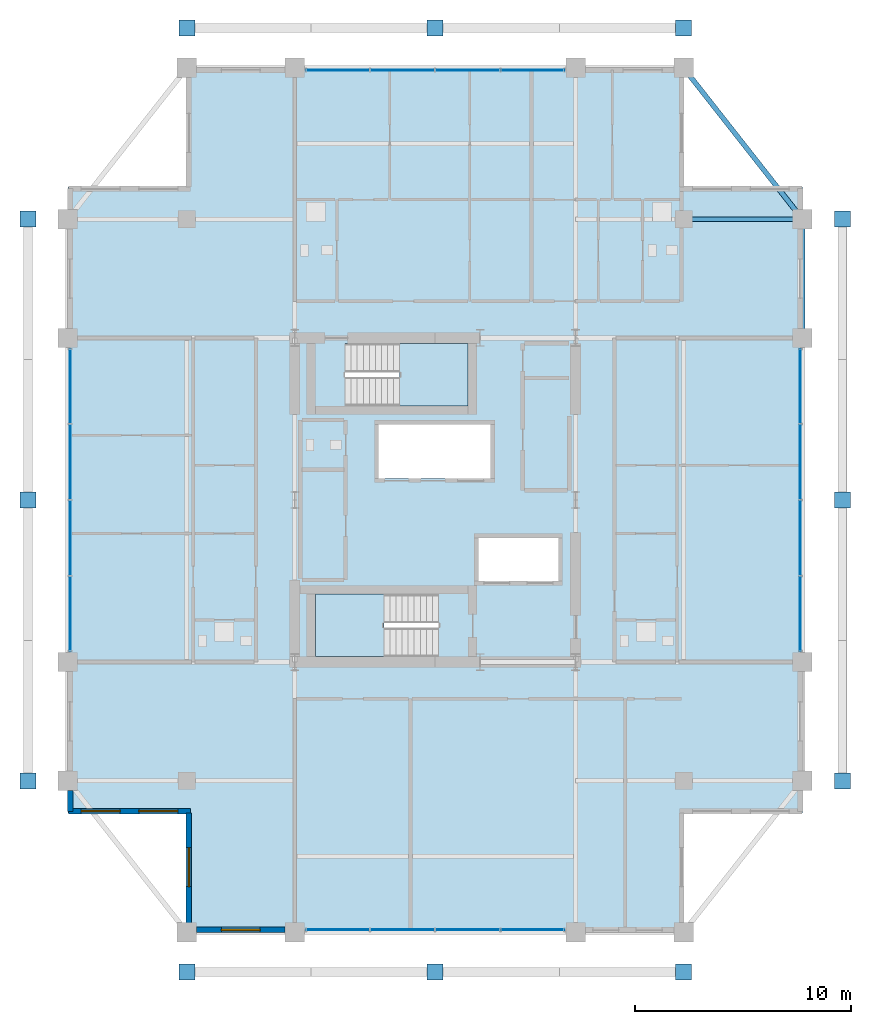
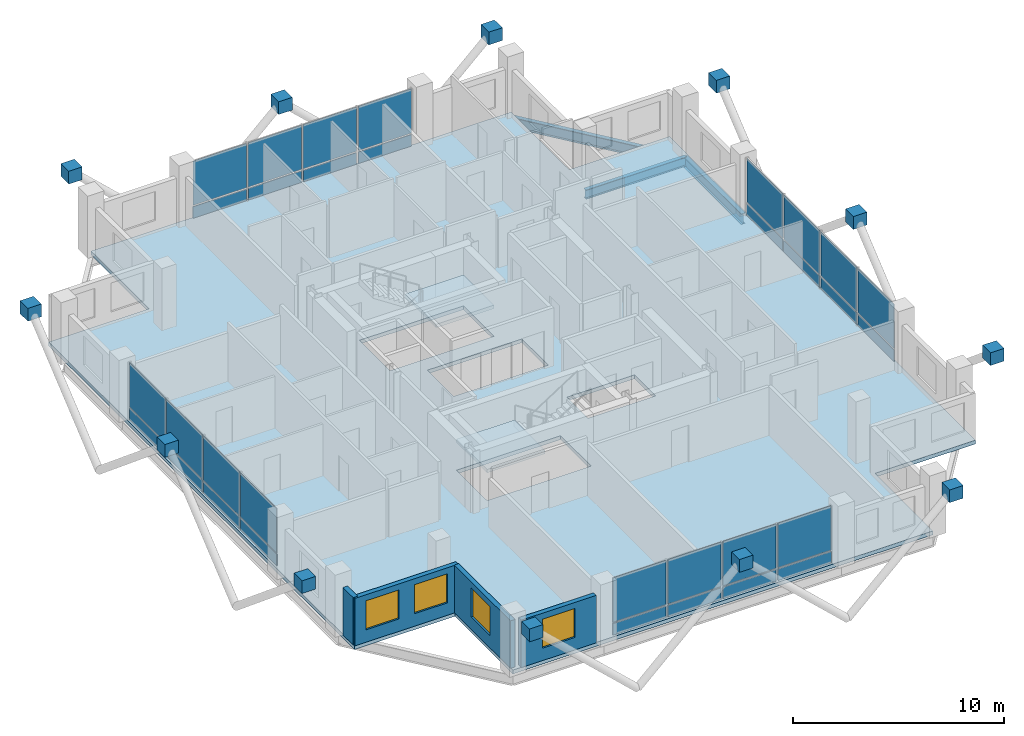
# One storey, part 17 of 23: 44 plates, 4 walls, 4 windows, 3 beams, 3 slabs, 4 openings, 6 elements without a shape of their own.
"""IFC4 building model written with IfcOpenShell, lengths in metres."""

import ifcopenshell
import ifcopenshell.guid

model = None  # the IFC model being written
_history = None  # IfcOwnerHistory: only IFC2X3 demands one
_inside = {}  # id of a spatial element -> (the spatial element, [elements in it])
_under = {}  # id of a project, library or spatial element -> (it, [spatial elements below it])
_declared = {}  # id of a project -> (the project, [libraries it declares])
_typed = {}  # id of a type object -> (the type object, [elements of that type])
_made_of = {}  # id of a material, layer set ... -> (it, [elements and type objects made of it])


def new_model(schema):
    """Start an empty IFC model of exactly this schema.

    Asked for "IFC4X3", IfcOpenShell would pick the latest addendum, in which some entities
    have other attributes; the version numbers below select the first issue.
    IFC2X3 requires an IfcOwnerHistory on every rooted entity: one is made here for all.
    """
    global model, _history
    if schema == "IFC4X3":
        model = ifcopenshell.file(schema_version=(4, 3, 0, 0))
    else:
        model = ifcopenshell.file(schema=schema)
    _inside.clear()
    _under.clear()
    _declared.clear()
    _typed.clear()
    _made_of.clear()
    _history = None
    if model.schema == "IFC2X3":
        org = make("IfcOrganization", Name="unknown")
        user = make(
            "IfcPersonAndOrganization",
            ThePerson=make("IfcPerson", FamilyName="unknown"),
            TheOrganization=org,
        )
        app = make(
            "IfcApplication",
            ApplicationDeveloper=org,
            Version="unknown",
            ApplicationFullName="unknown",
            ApplicationIdentifier="unknown",
        )
        _history = make(
            "IfcOwnerHistory",
            OwningUser=user,
            OwningApplication=app,
            ChangeAction="ADDED",
            CreationDate=0,
        )
    return model


def make(cls, **values):
    """One entity of the class cls with the attributes given. An attribute that is None is left unset."""
    return model.create_entity(
        cls, **{name: value for name, value in values.items() if value is not None}
    )


def rooted(cls, **values):
    """An entity with a GlobalId (a new one), such as an element, a storey or a relation."""
    return make(cls, GlobalId=ifcopenshell.guid.new(), OwnerHistory=_history, **values)


def si_unit(unit_type, name, prefix=None):
    """IfcSIUnit, for example si_unit("LENGTHUNIT", "METRE", prefix="MILLI")."""
    return make("IfcSIUnit", UnitType=unit_type, Prefix=prefix, Name=name)


def assignment(units):
    """IfcUnitAssignment: the units of a project."""
    return None if units is None else make("IfcUnitAssignment", Units=units)


def point(xyz):
    """IfcCartesianPoint."""
    return None if xyz is None else make("IfcCartesianPoint", Coordinates=xyz)


def direction(xyz):
    """IfcDirection."""
    return None if xyz is None else make("IfcDirection", DirectionRatios=xyz)


def frame(location, z_axis=None, x_axis=None):
    """IfcAxis2Placement3D, a coordinate frame: its origin and axes. An axis left out is left unset."""
    return make(
        "IfcAxis2Placement3D",
        Location=point(location),
        Axis=direction(z_axis),
        RefDirection=direction(x_axis),
    )


def frame_2d(location, x_axis=None):
    """IfcAxis2Placement2D, a coordinate frame in the plane: its origin and x axis."""
    return make(
        "IfcAxis2Placement2D", Location=point(location), RefDirection=direction(x_axis)
    )


def origin():
    """The frame at (0, 0, 0) with its axes left unset."""
    return frame((0.0, 0.0, 0.0))


def origin_2d():
    """The frame at (0, 0) in the plane with its x axis left unset."""
    return frame_2d((0.0, 0.0))


def place(relative_to, where):
    """IfcLocalPlacement: puts the frame where relative to a parent placement (None: the world)."""
    return make(
        "IfcLocalPlacement", PlacementRelTo=relative_to, RelativePlacement=where
    )


def context(
    kind, dimensions, precision=None, world=None, true_north=None, identifier=None
):
    """IfcGeometricRepresentationContext, for example the 3D "Model" context."""
    return make(
        "IfcGeometricRepresentationContext",
        ContextIdentifier=identifier,
        ContextType=kind,
        CoordinateSpaceDimension=dimensions,
        Precision=precision,
        WorldCoordinateSystem=world,
        TrueNorth=true_north,
    )


def subcontext(parent, identifier, kind, view, scale=None):
    """IfcGeometricRepresentationSubContext, for example "Body" below "Model"."""
    return make(
        "IfcGeometricRepresentationSubContext",
        ContextIdentifier=identifier,
        ContextType=kind,
        ParentContext=parent,
        TargetScale=scale,
        TargetView=view,
    )


def project(units=None, contexts=None):
    """IfcProject with its units and contexts."""
    return rooted(
        "IfcProject",
        Name="project",
        RepresentationContexts=contexts,
        UnitsInContext=assignment(units),
    )


def spatial(cls, under=None, at=None, **own):
    """A site, building, storey or space (cls), placed at a placement, below another one or the project."""
    s = rooted(cls, ObjectPlacement=at, **own)
    if under is not None:
        _under.setdefault(under.id(), (under, []))[1].append(s)
    return s


def polyline(points):
    """IfcPolyline through the points."""
    return make("IfcPolyline", Points=[point(p) for p in points])


def profile(cls, at=None, kind="AREA", **sizes):
    """A parametric profile (cls). Its sizes go by their IFC names, for example OverallWidth=200.0."""
    return make(cls, ProfileType=kind, Position=at, **sizes)


def rectangle(**sizes):
    """IfcRectangleProfileDef."""
    return profile("IfcRectangleProfileDef", **sizes)


def i_section(**sizes):
    """IfcIShapeProfileDef."""
    return profile("IfcIShapeProfileDef", **sizes)


def outline(outer, holes=None, kind="AREA"):
    """IfcArbitraryClosedProfileDef: a profile drawn as a closed curve; with holes, ...WithVoids."""
    if holes is None:
        return make("IfcArbitraryClosedProfileDef", ProfileType=kind, OuterCurve=outer)
    return make(
        "IfcArbitraryProfileDefWithVoids",
        ProfileType=kind,
        OuterCurve=outer,
        InnerCurves=holes,
    )


def extrude(swept, where, along, depth):
    """IfcExtrudedAreaSolid: the profile swept, set in the frame where, extruded along a direction by depth."""
    return make(
        "IfcExtrudedAreaSolid",
        SweptArea=swept,
        Position=where,
        ExtrudedDirection=direction(along),
        Depth=depth,
    )


def shape(context_of_items, identifier, shape_type, items):
    """IfcShapeRepresentation: the items that make up one representation, for example the "Body"."""
    return make(
        "IfcShapeRepresentation",
        ContextOfItems=context_of_items,
        RepresentationIdentifier=identifier,
        RepresentationType=shape_type,
        Items=items,
    )


def material(Name=None, Category=None):
    """IfcMaterial."""
    return make("IfcMaterial", Name=Name, Category=Category)


def layer(
    of_material, thickness, ventilated=None, Name=None, Category=None, Priority=None
):
    """IfcMaterialLayer: one layer of a wall or slab, of a material (None: an air gap)."""
    return make(
        "IfcMaterialLayer",
        Material=of_material,
        LayerThickness=thickness,
        IsVentilated=ventilated,
        Name=Name,
        Category=Category,
        Priority=Priority,
    )


def layer_set(layers, Name=None):
    """IfcMaterialLayerSet."""
    return make("IfcMaterialLayerSet", MaterialLayers=layers, LayerSetName=Name)


def material_profile(
    of_material, cross_section, Name=None, Category=None, Priority=None
):
    """IfcMaterialProfile: a cross section and its material."""
    return make(
        "IfcMaterialProfile",
        Name=Name,
        Material=of_material,
        Profile=cross_section,
        Priority=Priority,
        Category=Category,
    )


def profile_set(profiles, Name=None, composite=None):
    """IfcMaterialProfileSet."""
    return make(
        "IfcMaterialProfileSet",
        Name=Name,
        MaterialProfiles=profiles,
        CompositeProfile=composite,
    )


def made_of(thing, what):
    """Note that an element or type object is made of a material, layer set ...; save() writes the relation."""
    if what is not None:
        _made_of.setdefault(what.id(), (what, []))[1].append(thing)
    return thing


def type_object(cls, material=None, **own):
    """A type object (cls), such as IfcWallType, which elements share."""
    return made_of(rooted(cls, **own), material)


def element(
    cls,
    number,
    at=None,
    inside=None,
    cuts=None,
    type_object=None,
    material=None,
    context=None,
    identifier="Body",
    shape_type=None,
    held_by="IfcProductDefinitionShape",
    body=None,
    shapes=None,
    **own,
):
    """One element of the class cls, such as IfcWall. Its Tag is "e" and its number.

    at: its placement. inside: the storey or other place that contains it. cuts: it is an
    opening in that element (IfcRelVoidsElement). A single representation is given by context,
    identifier, shape_type and body (its items); several are given by shapes. held_by: the class
    of the entity that holds the representations. save() writes the other relations.
    """
    e = rooted(cls, Tag="e%d" % number, ObjectPlacement=at, **own)
    if body is not None:
        shapes = [shape(context, identifier, shape_type, body)]
    if shapes is not None:
        e.Representation = make(held_by, Representations=shapes)
    if inside is not None:
        _inside.setdefault(inside.id(), (inside, []))[1].append(e)
    if cuts is not None:
        rooted(
            "IfcRelVoidsElement", RelatingBuildingElement=cuts, RelatedOpeningElement=e
        )
    if type_object is not None:
        _typed.setdefault(type_object.id(), (type_object, []))[1].append(e)
    return made_of(e, material)


def fill(opening, filler):
    """IfcRelFillsElement: the door or window that sits in an opening."""
    return rooted(
        "IfcRelFillsElement",
        RelatingOpeningElement=opening,
        RelatedBuildingElement=filler,
    )


def aggregate(whole, parts):
    """IfcRelAggregates: a whole, such as a stair, and the parts it consists of."""
    return rooted("IfcRelAggregates", RelatingObject=whole, RelatedObjects=parts)


def save(model, path):
    """Write the relations noted so far, then the file.

    IfcRelAggregates (storeys below a building ...), IfcRelContainedInSpatialStructure (elements
    in a storey), IfcRelDefinesByType, IfcRelAssociatesMaterial and IfcRelDeclares: one each for
    every whole, place, type object, material and project.
    """
    for whole, parts in _under.values():
        aggregate(whole, parts)
    for where, things in _inside.values():
        rooted(
            "IfcRelContainedInSpatialStructure",
            RelatedElements=things,
            RelatingStructure=where,
        )
    for kind, things in _typed.values():
        rooted("IfcRelDefinesByType", RelatedObjects=things, RelatingType=kind)
    for what, things in _made_of.values():
        rooted("IfcRelAssociatesMaterial", RelatedObjects=things, RelatingMaterial=what)
    for by, libraries in _declared.values():
        rooted("IfcRelDeclares", RelatingContext=by, RelatedDefinitions=libraries)
    model.write(path)


model = new_model("IFC4")

# Units and contexts
model_context = context("Model", 3, precision=1e-05, world=origin(), true_north=direction((0.0, 1.0)))
body_context = subcontext(model_context, "Body", "Model", "MODEL_VIEW")
ifc_project = project(units=[si_unit("LENGTHUNIT", "METRE"), si_unit("AREAUNIT", "SQUARE_METRE"), si_unit("VOLUMEUNIT", "CUBIC_METRE"), si_unit("PLANEANGLEUNIT", "RADIAN"), si_unit("MASSUNIT", "GRAM", prefix="KILO")], contexts=[model_context])

# Site, building, storey
site_placement = place(None, origin())
site = spatial("IfcSite", under=ifc_project, at=site_placement, CompositionType="ELEMENT")
building_placement = place(site_placement, origin())
building = spatial("IfcBuilding", under=site, at=building_placement, Name="Barlavira Tower and Art Museum", CompositionType="ELEMENT")
storey_placement = place(building_placement, frame((0.0, 0.0, 247.5)))
storey = spatial("IfcBuildingStorey", under=building, at=storey_placement, Name="L64", CompositionType="ELEMENT", Elevation=247.5)

# Beams
ifc_material_1 = material(Name="Steel S355", Category="steel")
ifc_material_profile_1 = material_profile(ifc_material_1, i_section(OverallWidth=0.22998046875, OverallDepth=0.616943359375, WebThickness=0.01318359375, FlangeThickness=0.022216796875, at=origin_2d()), Name="W610x140.0")
ifc_profile_set_1 = profile_set([ifc_material_profile_1], Name="Steel S355")
beam_type_1 = type_object("IfcBeamType", Name="Upper Shaft Spandrel Edge Beam W610x140 Steel S355", PredefinedType="SPANDREL", material=ifc_profile_set_1)
beam_1_placement = place(storey_placement, frame((17.0, 7.5, -0.528564453125), z_axis=(0.0, 1.0, 0.0), x_axis=(-1.0, 0.0, 0.0)))
element("IfcBeam", 1, at=beam_1_placement, inside=storey, type_object=beam_type_1, Name="L64 Spandrel 7", PredefinedType="SPANDREL", context=body_context, shape_type="SweptSolid", body=[
    extrude(i_section(OverallWidth=0.22998046875, OverallDepth=0.616943359375, WebThickness=0.01318359375, FlangeThickness=0.022216796875, at=origin_2d()), origin(), (0.0, 0.0, 1.0), 5.5),
])
beam_2_placement = place(storey_placement, frame((17.0, 13.0, -0.528564453125), z_axis=(-0.617821551932, 0.786318338822, 0.0), x_axis=(-0.786318338822, -0.617821551932, 0.0)))
element("IfcBeam", 2, at=beam_2_placement, inside=storey, type_object=beam_type_1, Name="L64 Spandrel 8", PredefinedType="SPANDREL", context=body_context, shape_type="SweptSolid", body=[
    extrude(i_section(OverallWidth=0.22998046875, OverallDepth=0.616943359375, WebThickness=0.01318359375, FlangeThickness=0.022216796875, at=origin_2d()), origin(), (0.0, 0.0, 1.0), 8.90234375),
])
ifc_material_profile_2 = material_profile(ifc_material_1, i_section(OverallWidth=0.2109375, OverallDepth=0.5390625, WebThickness=0.01171875, FlangeThickness=0.018798828125, at=origin_2d()), Name="W530x109.0")
ifc_profile_set_2 = profile_set([ifc_material_profile_2], Name="Steel S355")
beam_type_2 = type_object("IfcBeamType", Name="Zone 3-4 Primary Floor Girder W530x109 Steel S355", PredefinedType="BEAM", material=ifc_profile_set_2)
beam_3_placement = place(storey_placement, frame((11.5, 13.0, -0.489501953125), z_axis=(1.0, 0.0, 0.0), x_axis=(0.0, 1.0, 0.0)))
element("IfcBeam", 3, at=beam_3_placement, inside=storey, type_object=beam_type_2, Name="L64 Girder I-N4", PredefinedType="BEAM", context=body_context, shape_type="SweptSolid", body=[
    extrude(i_section(OverallWidth=0.2109375, OverallDepth=0.5390625, WebThickness=0.01171875, FlangeThickness=0.018798828125, at=origin_2d()), origin(), (0.0, 0.0, 1.0), 5.5),
])

# Curtain wall, plates
ifc_material_2 = material(Name="Low-iron coastal laminated glass", Category="glass")
ifc_layer_1 = layer(ifc_material_2, 0.2099609375, Name="Low-iron coastal laminated glass")
ifc_layer_set_1 = layer_set([ifc_layer_1], Name="Low-iron coastal laminated glass")
curtain_wall_type = type_object("IfcCurtainWallType", Name="Pale-Metal Unitised Curtain Wall Zone 4", PredefinedType="NOTDEFINED", material=ifc_layer_set_1)
curtain_wall_1_placement = place(storey_placement, origin())
curtain_wall_1 = element("IfcCurtainWall", 4, at=curtain_wall_1_placement, inside=storey, type_object=curtain_wall_type, Name="L64 Curtain Wall CW4-L64-S-B2", PredefinedType="NOTDEFINED")
ifc_material_3 = material(Name="Pale anodised aluminium", Category="aluminium")
ifc_layer_2 = layer(ifc_material_3, 0.044921875, Name="Pale anodised aluminium")
ifc_layer_set_2 = layer_set([ifc_layer_2], Name="Pale anodised aluminium")
plate_type_1 = type_object("IfcPlateType", Name="Curtain Wall Pale-Metal Spandrel Panel 45", PredefinedType="CURTAIN_PANEL", material=ifc_layer_set_2)
plate_1_placement = place(storey_placement, frame((-4.5224609375, -19.89990234375, 0.0400390625), z_axis=(0.0, 0.0, 1.0), x_axis=(1.0, 0.0, 0.0)))
plate_1 = element("IfcPlate", 5, at=plate_1_placement, type_object=plate_type_1, Name="CW4-L64-S-B2 Spandrel Panel 0", PredefinedType="CURTAIN_PANEL", context=body_context, shape_type="SweptSolid", body=[
    extrude(rectangle(XDim=2.9150390625, YDim=0.044921875, at=origin_2d()), origin(), (0.0, 0.0, 1.0), 0.6640625),
])
plate_2_placement = place(storey_placement, frame((-1.507568359375, -19.89990234375, 0.0400390625), z_axis=(0.0, 0.0, 1.0), x_axis=(1.0, 0.0, 0.0)))
plate_2 = element("IfcPlate", 6, at=plate_2_placement, type_object=plate_type_1, Name="CW4-L64-S-B2 Spandrel Panel 1", PredefinedType="CURTAIN_PANEL", context=body_context, shape_type="SweptSolid", body=[
    extrude(rectangle(XDim=2.9150390625, YDim=0.044921875, at=origin_2d()), origin(), (0.0, 0.0, 1.0), 0.6640625),
])
plate_3_placement = place(storey_placement, frame((1.507568359375, -19.89990234375, 0.0400390625), z_axis=(0.0, 0.0, 1.0), x_axis=(1.0, 0.0, 0.0)))
plate_3 = element("IfcPlate", 7, at=plate_3_placement, type_object=plate_type_1, Name="CW4-L64-S-B2 Spandrel Panel 2", PredefinedType="CURTAIN_PANEL", context=body_context, shape_type="SweptSolid", body=[
    extrude(rectangle(XDim=2.9150390625, YDim=0.044921875, at=origin_2d()), origin(), (0.0, 0.0, 1.0), 0.6640625),
])
plate_4_placement = place(storey_placement, frame((4.5224609375, -19.89990234375, 0.0400390625), z_axis=(0.0, 0.0, 1.0), x_axis=(1.0, 0.0, 0.0)))
plate_4 = element("IfcPlate", 8, at=plate_4_placement, type_object=plate_type_1, Name="CW4-L64-S-B2 Spandrel Panel 3", PredefinedType="CURTAIN_PANEL", context=body_context, shape_type="SweptSolid", body=[
    extrude(rectangle(XDim=2.9150390625, YDim=0.044921875, at=origin_2d()), origin(), (0.0, 0.0, 1.0), 0.6640625),
])

curtain_wall_2_placement = place(storey_placement, origin())
curtain_wall_2 = element("IfcCurtainWall", 9, at=curtain_wall_2_placement, inside=storey, type_object=curtain_wall_type, Name="L64 Curtain Wall CW4-L64-N-B2", PredefinedType="NOTDEFINED")
plate_5_placement = place(storey_placement, frame((4.5224609375, 19.89990234375, 0.0400390625), z_axis=(0.0, 0.0, 1.0), x_axis=(-1.0, 0.0, 0.0)))
plate_5 = element("IfcPlate", 10, at=plate_5_placement, type_object=plate_type_1, Name="CW4-L64-N-B2 Spandrel Panel 0", PredefinedType="CURTAIN_PANEL", context=body_context, shape_type="SweptSolid", body=[
    extrude(rectangle(XDim=2.9150390625, YDim=0.044921875, at=origin_2d()), origin(), (0.0, 0.0, 1.0), 0.6640625),
])
plate_6_placement = place(storey_placement, frame((1.507568359375, 19.89990234375, 0.0400390625), z_axis=(0.0, 0.0, 1.0), x_axis=(-1.0, 0.0, 0.0)))
plate_6 = element("IfcPlate", 11, at=plate_6_placement, type_object=plate_type_1, Name="CW4-L64-N-B2 Spandrel Panel 1", PredefinedType="CURTAIN_PANEL", context=body_context, shape_type="SweptSolid", body=[
    extrude(rectangle(XDim=2.9150390625, YDim=0.044921875, at=origin_2d()), origin(), (0.0, 0.0, 1.0), 0.6640625),
])
plate_7_placement = place(storey_placement, frame((-1.507568359375, 19.89990234375, 0.0400390625), z_axis=(0.0, 0.0, 1.0), x_axis=(-1.0, 0.0, 0.0)))
plate_7 = element("IfcPlate", 12, at=plate_7_placement, type_object=plate_type_1, Name="CW4-L64-N-B2 Spandrel Panel 2", PredefinedType="CURTAIN_PANEL", context=body_context, shape_type="SweptSolid", body=[
    extrude(rectangle(XDim=2.9150390625, YDim=0.044921875, at=origin_2d()), origin(), (0.0, 0.0, 1.0), 0.6640625),
])
plate_8_placement = place(storey_placement, frame((-4.5224609375, 19.89990234375, 0.0400390625), z_axis=(0.0, 0.0, 1.0), x_axis=(-1.0, 0.0, 0.0)))
plate_8 = element("IfcPlate", 13, at=plate_8_placement, type_object=plate_type_1, Name="CW4-L64-N-B2 Spandrel Panel 3", PredefinedType="CURTAIN_PANEL", context=body_context, shape_type="SweptSolid", body=[
    extrude(rectangle(XDim=2.9150390625, YDim=0.044921875, at=origin_2d()), origin(), (0.0, 0.0, 1.0), 0.6640625),
])

curtain_wall_3_placement = place(storey_placement, origin())
curtain_wall_3 = element("IfcCurtainWall", 14, at=curtain_wall_3_placement, inside=storey, type_object=curtain_wall_type, Name="L64 Curtain Wall CW4-L64-W-B3", PredefinedType="NOTDEFINED")
plate_9_placement = place(storey_placement, frame((-16.89990234375, 5.2724609375, 0.0400390625), z_axis=(0.0, 0.0, 1.0), x_axis=(0.0, -1.0, 0.0)))
plate_9 = element("IfcPlate", 15, at=plate_9_placement, type_object=plate_type_1, Name="CW4-L64-W-B3 Spandrel Panel 0", PredefinedType="CURTAIN_PANEL", context=body_context, shape_type="SweptSolid", body=[
    extrude(rectangle(XDim=3.4150390625, YDim=0.044921875, at=origin_2d()), origin(), (0.0, 0.0, 1.0), 0.6640625),
])
plate_10_placement = place(storey_placement, frame((-16.89990234375, 1.757568359375, 0.0400390625), z_axis=(0.0, 0.0, 1.0), x_axis=(0.0, -1.0, 0.0)))
plate_10 = element("IfcPlate", 16, at=plate_10_placement, type_object=plate_type_1, Name="CW4-L64-W-B3 Spandrel Panel 1", PredefinedType="CURTAIN_PANEL", context=body_context, shape_type="SweptSolid", body=[
    extrude(rectangle(XDim=3.4150390625, YDim=0.044921875, at=origin_2d()), origin(), (0.0, 0.0, 1.0), 0.6640625),
])
plate_11_placement = place(storey_placement, frame((-16.89990234375, -1.757568359375, 0.0400390625), z_axis=(0.0, 0.0, 1.0), x_axis=(0.0, -1.0, 0.0)))
plate_11 = element("IfcPlate", 17, at=plate_11_placement, type_object=plate_type_1, Name="CW4-L64-W-B3 Spandrel Panel 2", PredefinedType="CURTAIN_PANEL", context=body_context, shape_type="SweptSolid", body=[
    extrude(rectangle(XDim=3.4150390625, YDim=0.044921875, at=origin_2d()), origin(), (0.0, 0.0, 1.0), 0.6640625),
])
plate_12_placement = place(storey_placement, frame((-16.89990234375, -5.2724609375, 0.0400390625), z_axis=(0.0, 0.0, 1.0), x_axis=(0.0, -1.0, 0.0)))
plate_12 = element("IfcPlate", 18, at=plate_12_placement, type_object=plate_type_1, Name="CW4-L64-W-B3 Spandrel Panel 3", PredefinedType="CURTAIN_PANEL", context=body_context, shape_type="SweptSolid", body=[
    extrude(rectangle(XDim=3.4150390625, YDim=0.044921875, at=origin_2d()), origin(), (0.0, 0.0, 1.0), 0.6640625),
])

curtain_wall_4_placement = place(storey_placement, origin())
curtain_wall_4 = element("IfcCurtainWall", 19, at=curtain_wall_4_placement, inside=storey, type_object=curtain_wall_type, Name="L64 Curtain Wall CW4-L64-E-B3", PredefinedType="NOTDEFINED")
plate_13_placement = place(storey_placement, frame((16.89990234375, -5.2724609375, 0.0400390625), z_axis=(0.0, 0.0, 1.0), x_axis=(0.0, 1.0, 0.0)))
plate_13 = element("IfcPlate", 20, at=plate_13_placement, type_object=plate_type_1, Name="CW4-L64-E-B3 Spandrel Panel 0", PredefinedType="CURTAIN_PANEL", context=body_context, shape_type="SweptSolid", body=[
    extrude(rectangle(XDim=3.4150390625, YDim=0.044921875, at=origin_2d()), origin(), (0.0, 0.0, 1.0), 0.6640625),
])
plate_14_placement = place(storey_placement, frame((16.89990234375, -1.757568359375, 0.0400390625), z_axis=(0.0, 0.0, 1.0), x_axis=(0.0, 1.0, 0.0)))
plate_14 = element("IfcPlate", 21, at=plate_14_placement, type_object=plate_type_1, Name="CW4-L64-E-B3 Spandrel Panel 1", PredefinedType="CURTAIN_PANEL", context=body_context, shape_type="SweptSolid", body=[
    extrude(rectangle(XDim=3.4150390625, YDim=0.044921875, at=origin_2d()), origin(), (0.0, 0.0, 1.0), 0.6640625),
])
plate_15_placement = place(storey_placement, frame((16.89990234375, 1.757568359375, 0.0400390625), z_axis=(0.0, 0.0, 1.0), x_axis=(0.0, 1.0, 0.0)))
plate_15 = element("IfcPlate", 22, at=plate_15_placement, type_object=plate_type_1, Name="CW4-L64-E-B3 Spandrel Panel 2", PredefinedType="CURTAIN_PANEL", context=body_context, shape_type="SweptSolid", body=[
    extrude(rectangle(XDim=3.4150390625, YDim=0.044921875, at=origin_2d()), origin(), (0.0, 0.0, 1.0), 0.6640625),
])
plate_16_placement = place(storey_placement, frame((16.89990234375, 5.2724609375, 0.0400390625), z_axis=(0.0, 0.0, 1.0), x_axis=(0.0, 1.0, 0.0)))
plate_16 = element("IfcPlate", 23, at=plate_16_placement, type_object=plate_type_1, Name="CW4-L64-E-B3 Spandrel Panel 3", PredefinedType="CURTAIN_PANEL", context=body_context, shape_type="SweptSolid", body=[
    extrude(rectangle(XDim=3.4150390625, YDim=0.044921875, at=origin_2d()), origin(), (0.0, 0.0, 1.0), 0.6640625),
])

# Plate
ifc_layer_3 = layer(ifc_material_2, 0.028076171875, Name="Low-iron coastal laminated glass")
ifc_layer_set_3 = layer_set([ifc_layer_3], Name="Low-iron coastal laminated glass")
plate_type_2 = type_object("IfcPlateType", Name="Curtain Wall Vision Glazing Panel 28", PredefinedType="CURTAIN_PANEL", material=ifc_layer_set_3)
plate_17_placement = place(storey_placement, frame((-4.5224609375, -19.89990234375, 0.7841796875), z_axis=(0.0, 0.0, 1.0), x_axis=(1.0, 0.0, 0.0)))
plate_17 = element("IfcPlate", 24, at=plate_17_placement, type_object=plate_type_2, Name="CW4-L64-S-B2 Vision Glass Panel 0", PredefinedType="CURTAIN_PANEL", context=body_context, shape_type="SweptSolid", body=[
    extrude(rectangle(XDim=2.9150390625, YDim=0.028076171875, at=origin_2d()), origin(), (0.0, 0.0, 1.0), 2.555908203125),
])

plate_18_placement = place(storey_placement, frame((-1.507568359375, -19.89990234375, 0.7841796875), z_axis=(0.0, 0.0, 1.0), x_axis=(1.0, 0.0, 0.0)))
plate_18 = element("IfcPlate", 25, at=plate_18_placement, type_object=plate_type_2, Name="CW4-L64-S-B2 Vision Glass Panel 1", PredefinedType="CURTAIN_PANEL", context=body_context, shape_type="SweptSolid", body=[
    extrude(rectangle(XDim=2.9150390625, YDim=0.028076171875, at=origin_2d()), origin(), (0.0, 0.0, 1.0), 2.555908203125),
])

plate_19_placement = place(storey_placement, frame((1.507568359375, -19.89990234375, 0.7841796875), z_axis=(0.0, 0.0, 1.0), x_axis=(1.0, 0.0, 0.0)))
plate_19 = element("IfcPlate", 26, at=plate_19_placement, type_object=plate_type_2, Name="CW4-L64-S-B2 Vision Glass Panel 2", PredefinedType="CURTAIN_PANEL", context=body_context, shape_type="SweptSolid", body=[
    extrude(rectangle(XDim=2.9150390625, YDim=0.028076171875, at=origin_2d()), origin(), (0.0, 0.0, 1.0), 2.555908203125),
])

plate_20_placement = place(storey_placement, frame((4.5224609375, -19.89990234375, 0.7841796875), z_axis=(0.0, 0.0, 1.0), x_axis=(1.0, 0.0, 0.0)))
plate_20 = element("IfcPlate", 27, at=plate_20_placement, type_object=plate_type_2, Name="CW4-L64-S-B2 Vision Glass Panel 3", PredefinedType="CURTAIN_PANEL", context=body_context, shape_type="SweptSolid", body=[
    extrude(rectangle(XDim=2.9150390625, YDim=0.028076171875, at=origin_2d()), origin(), (0.0, 0.0, 1.0), 2.555908203125),
])

aggregate(curtain_wall_1, [plate_1, plate_17, plate_2, plate_18, plate_3, plate_19, plate_4, plate_20])

plate_21_placement = place(storey_placement, frame((4.5224609375, 19.89990234375, 0.7841796875), z_axis=(0.0, 0.0, 1.0), x_axis=(-1.0, 0.0, 0.0)))
plate_21 = element("IfcPlate", 28, at=plate_21_placement, type_object=plate_type_2, Name="CW4-L64-N-B2 Vision Glass Panel 0", PredefinedType="CURTAIN_PANEL", context=body_context, shape_type="SweptSolid", body=[
    extrude(rectangle(XDim=2.9150390625, YDim=0.028076171875, at=origin_2d()), origin(), (0.0, 0.0, 1.0), 2.555908203125),
])

plate_22_placement = place(storey_placement, frame((1.507568359375, 19.89990234375, 0.7841796875), z_axis=(0.0, 0.0, 1.0), x_axis=(-1.0, 0.0, 0.0)))
plate_22 = element("IfcPlate", 29, at=plate_22_placement, type_object=plate_type_2, Name="CW4-L64-N-B2 Vision Glass Panel 1", PredefinedType="CURTAIN_PANEL", context=body_context, shape_type="SweptSolid", body=[
    extrude(rectangle(XDim=2.9150390625, YDim=0.028076171875, at=origin_2d()), origin(), (0.0, 0.0, 1.0), 2.555908203125),
])

plate_23_placement = place(storey_placement, frame((-1.507568359375, 19.89990234375, 0.7841796875), z_axis=(0.0, 0.0, 1.0), x_axis=(-1.0, 0.0, 0.0)))
plate_23 = element("IfcPlate", 30, at=plate_23_placement, type_object=plate_type_2, Name="CW4-L64-N-B2 Vision Glass Panel 2", PredefinedType="CURTAIN_PANEL", context=body_context, shape_type="SweptSolid", body=[
    extrude(rectangle(XDim=2.9150390625, YDim=0.028076171875, at=origin_2d()), origin(), (0.0, 0.0, 1.0), 2.555908203125),
])

plate_24_placement = place(storey_placement, frame((-4.5224609375, 19.89990234375, 0.7841796875), z_axis=(0.0, 0.0, 1.0), x_axis=(-1.0, 0.0, 0.0)))
plate_24 = element("IfcPlate", 31, at=plate_24_placement, type_object=plate_type_2, Name="CW4-L64-N-B2 Vision Glass Panel 3", PredefinedType="CURTAIN_PANEL", context=body_context, shape_type="SweptSolid", body=[
    extrude(rectangle(XDim=2.9150390625, YDim=0.028076171875, at=origin_2d()), origin(), (0.0, 0.0, 1.0), 2.555908203125),
])

aggregate(curtain_wall_2, [plate_5, plate_21, plate_6, plate_22, plate_7, plate_23, plate_8, plate_24])

plate_25_placement = place(storey_placement, frame((-16.89990234375, 5.2724609375, 0.7841796875), z_axis=(0.0, 0.0, 1.0), x_axis=(0.0, -1.0, 0.0)))
plate_25 = element("IfcPlate", 32, at=plate_25_placement, type_object=plate_type_2, Name="CW4-L64-W-B3 Vision Glass Panel 0", PredefinedType="CURTAIN_PANEL", context=body_context, shape_type="SweptSolid", body=[
    extrude(rectangle(XDim=3.4150390625, YDim=0.028076171875, at=origin_2d()), origin(), (0.0, 0.0, 1.0), 2.555908203125),
])

plate_26_placement = place(storey_placement, frame((-16.89990234375, 1.757568359375, 0.7841796875), z_axis=(0.0, 0.0, 1.0), x_axis=(0.0, -1.0, 0.0)))
plate_26 = element("IfcPlate", 33, at=plate_26_placement, type_object=plate_type_2, Name="CW4-L64-W-B3 Vision Glass Panel 1", PredefinedType="CURTAIN_PANEL", context=body_context, shape_type="SweptSolid", body=[
    extrude(rectangle(XDim=3.4150390625, YDim=0.028076171875, at=origin_2d()), origin(), (0.0, 0.0, 1.0), 2.555908203125),
])

plate_27_placement = place(storey_placement, frame((-16.89990234375, -1.757568359375, 0.7841796875), z_axis=(0.0, 0.0, 1.0), x_axis=(0.0, -1.0, 0.0)))
plate_27 = element("IfcPlate", 34, at=plate_27_placement, type_object=plate_type_2, Name="CW4-L64-W-B3 Vision Glass Panel 2", PredefinedType="CURTAIN_PANEL", context=body_context, shape_type="SweptSolid", body=[
    extrude(rectangle(XDim=3.4150390625, YDim=0.028076171875, at=origin_2d()), origin(), (0.0, 0.0, 1.0), 2.555908203125),
])

plate_28_placement = place(storey_placement, frame((-16.89990234375, -5.2724609375, 0.7841796875), z_axis=(0.0, 0.0, 1.0), x_axis=(0.0, -1.0, 0.0)))
plate_28 = element("IfcPlate", 35, at=plate_28_placement, type_object=plate_type_2, Name="CW4-L64-W-B3 Vision Glass Panel 3", PredefinedType="CURTAIN_PANEL", context=body_context, shape_type="SweptSolid", body=[
    extrude(rectangle(XDim=3.4150390625, YDim=0.028076171875, at=origin_2d()), origin(), (0.0, 0.0, 1.0), 2.555908203125),
])

aggregate(curtain_wall_3, [plate_9, plate_25, plate_10, plate_26, plate_11, plate_27, plate_12, plate_28])

plate_29_placement = place(storey_placement, frame((16.89990234375, -5.2724609375, 0.7841796875), z_axis=(0.0, 0.0, 1.0), x_axis=(0.0, 1.0, 0.0)))
plate_29 = element("IfcPlate", 36, at=plate_29_placement, type_object=plate_type_2, Name="CW4-L64-E-B3 Vision Glass Panel 0", PredefinedType="CURTAIN_PANEL", context=body_context, shape_type="SweptSolid", body=[
    extrude(rectangle(XDim=3.4150390625, YDim=0.028076171875, at=origin_2d()), origin(), (0.0, 0.0, 1.0), 2.555908203125),
])

plate_30_placement = place(storey_placement, frame((16.89990234375, -1.757568359375, 0.7841796875), z_axis=(0.0, 0.0, 1.0), x_axis=(0.0, 1.0, 0.0)))
plate_30 = element("IfcPlate", 37, at=plate_30_placement, type_object=plate_type_2, Name="CW4-L64-E-B3 Vision Glass Panel 1", PredefinedType="CURTAIN_PANEL", context=body_context, shape_type="SweptSolid", body=[
    extrude(rectangle(XDim=3.4150390625, YDim=0.028076171875, at=origin_2d()), origin(), (0.0, 0.0, 1.0), 2.555908203125),
])

plate_31_placement = place(storey_placement, frame((16.89990234375, 1.757568359375, 0.7841796875), z_axis=(0.0, 0.0, 1.0), x_axis=(0.0, 1.0, 0.0)))
plate_31 = element("IfcPlate", 38, at=plate_31_placement, type_object=plate_type_2, Name="CW4-L64-E-B3 Vision Glass Panel 2", PredefinedType="CURTAIN_PANEL", context=body_context, shape_type="SweptSolid", body=[
    extrude(rectangle(XDim=3.4150390625, YDim=0.028076171875, at=origin_2d()), origin(), (0.0, 0.0, 1.0), 2.555908203125),
])

plate_32_placement = place(storey_placement, frame((16.89990234375, 5.2724609375, 0.7841796875), z_axis=(0.0, 0.0, 1.0), x_axis=(0.0, 1.0, 0.0)))
plate_32 = element("IfcPlate", 39, at=plate_32_placement, type_object=plate_type_2, Name="CW4-L64-E-B3 Vision Glass Panel 3", PredefinedType="CURTAIN_PANEL", context=body_context, shape_type="SweptSolid", body=[
    extrude(rectangle(XDim=3.4150390625, YDim=0.028076171875, at=origin_2d()), origin(), (0.0, 0.0, 1.0), 2.555908203125),
])

aggregate(curtain_wall_4, [plate_13, plate_29, plate_14, plate_30, plate_15, plate_31, plate_16, plate_32])

# Plates
ifc_layer_4 = layer(ifc_material_1, 0.739990234375, Name="Steel S355")
ifc_layer_set_4 = layer_set([ifc_layer_4], Name="Steel S355")
plate_type_3 = type_object("IfcPlateType", Name="Exoskeleton Solid Steel Node Cap Plate Assembly Type 4 Steel S355", PredefinedType="USERDEFINED", material=ifc_layer_set_4)
for number, where, z_axis, x_axis, name in (
    (40, (-11.5, -21.85009765625, 3.10986328125), (0.0, 0.0, 1.0), (1.0, 0.0, 0.0), "Exoskeleton Node S ND-L64-0701"),
    (41, (0.0, -21.85009765625, 3.10986328125), (0.0, 0.0, 1.0), (1.0, 0.0, 0.0), "Exoskeleton Node S ND-L64-0702"),
    (42, (11.5, -21.85009765625, 3.10986328125), (0.0, 0.0, 1.0), (1.0, 0.0, 0.0), "Exoskeleton Node S ND-L64-0703"),
    (43, (-11.5, 21.85009765625, 3.10986328125), (0.0, 0.0, 1.0), (1.0, 0.0, 0.0), "Exoskeleton Node N ND-L64-0709"),
    (44, (0.0, 21.85009765625, 3.10986328125), (0.0, 0.0, 1.0), (1.0, 0.0, 0.0), "Exoskeleton Node N ND-L64-0710"),
    (45, (11.5, 21.85009765625, 3.10986328125), (0.0, 0.0, 1.0), (1.0, 0.0, 0.0), "Exoskeleton Node N ND-L64-0711"),
    (46, (-18.85009765625, -13.0, 3.10986328125), (0.0, 0.0, 1.0), (1.0, 0.0, 0.0), "Exoskeleton Node W ND-L64-0717"),
    (47, (-18.85009765625, 0.0, 3.10986328125), (0.0, 0.0, 1.0), (1.0, 0.0, 0.0), "Exoskeleton Node W ND-L64-0718"),
    (48, (-18.85009765625, 13.0, 3.10986328125), (0.0, 0.0, 1.0), (1.0, 0.0, 0.0), "Exoskeleton Node W ND-L64-0719"),
    (49, (18.85009765625, -13.0, 3.10986328125), (0.0, 0.0, 1.0), (1.0, 0.0, 0.0), "Exoskeleton Node E ND-L64-0725"),
    (50, (18.85009765625, 0.0, 3.10986328125), (0.0, 0.0, 1.0), (1.0, 0.0, 0.0), "Exoskeleton Node E ND-L64-0726"),
    (51, (18.85009765625, 13.0, 3.10986328125), (0.0, 0.0, 1.0), (1.0, 0.0, 0.0), "Exoskeleton Node E ND-L64-0727"),
):
    element("IfcPlate", number, at=place(storey_placement, frame(where, z_axis=z_axis, x_axis=x_axis)), inside=storey, type_object=plate_type_3, Name=name, ObjectType="FLANGE_PLATE", PredefinedType="USERDEFINED", context=body_context, shape_type="SweptSolid", body=[
        extrude(rectangle(XDim=0.739990234375, YDim=0.739990234375, at=origin_2d()), origin(), (0.0, 0.0, 1.0), 0.739990234375),
    ])

# Stair, slab
ifc_material_4 = material(Name="Concrete C45", Category="concrete")
stair_type_1 = type_object("IfcStairType", Name="Tower North Dog-Leg Exit Stair Assembly Concrete C45", PredefinedType="TWO_QUARTER_TURN_STAIR", material=ifc_material_4)
stair_1_placement = place(storey_placement, origin())
stair_1 = element("IfcStair", 52, at=stair_1_placement, inside=storey, type_object=stair_type_1, Name="L64 Tower North Exit Stair ST-T2", PredefinedType="TWO_QUARTER_TURN_STAIR")
ifc_layer_5 = layer(ifc_material_4, 0.199951171875, Name="Concrete C45")
ifc_layer_set_5 = layer_set([ifc_layer_5], Name="Concrete C45")
slab_type_1 = type_object("IfcSlabType", Name="Tower North Dog-Leg Exit Stair Half-Landing Slab 200 Concrete C45", PredefinedType="LANDING", material=ifc_layer_set_5)
slab_1_placement = place(storey_placement, frame((0.0, 0.0, 1.60009765625)))
slab_1 = element("IfcSlab", 53, at=slab_1_placement, type_object=slab_type_1, Name="ST-T2 landing 1", PredefinedType="LANDING", context=body_context, shape_type="SweptSolid", body=[
    extrude(outline(polyline([(-1.64990234375, 4.35009765625), (1.530029296875, 4.35009765625), (1.530029296875, 7.25), (-1.64990234375, 7.25), (-1.64990234375, 4.35009765625)])), origin(), (0.0, 0.0, 1.0), 0.199951171875),
])
aggregate(stair_1, [slab_1])

stair_type_2 = type_object("IfcStairType", Name="Tower South Dog-Leg Exit Stair Assembly Concrete C45", PredefinedType="TWO_QUARTER_TURN_STAIR", material=ifc_material_4)
stair_2_placement = place(storey_placement, origin())
stair_2 = element("IfcStair", 54, at=stair_2_placement, inside=storey, type_object=stair_type_2, Name="L64 Tower South Exit Stair ST-T1", PredefinedType="TWO_QUARTER_TURN_STAIR")
ifc_layer_6 = layer(ifc_material_4, 0.199951171875, Name="Concrete C45")
ifc_layer_set_6 = layer_set([ifc_layer_6], Name="Concrete C45")
slab_type_2 = type_object("IfcSlabType", Name="Tower South Dog-Leg Exit Stair Half-Landing Slab 200 Concrete C45", PredefinedType="LANDING", material=ifc_layer_set_6)
slab_2_placement = place(storey_placement, frame((0.0, 0.0, 1.60009765625)))
slab_2 = element("IfcSlab", 55, at=slab_2_placement, type_object=slab_type_2, Name="ST-T1 landing 1", PredefinedType="LANDING", context=body_context, shape_type="SweptSolid", body=[
    extrude(outline(polyline([(-2.3701171875, -4.35009765625), (-5.550048828125, -4.35009765625), (-5.550048828125, -7.25), (-2.3701171875, -7.25), (-2.3701171875, -4.35009765625)])), origin(), (0.0, 0.0, 1.0), 0.199951171875),
])
aggregate(stair_2, [slab_2])

# Slab
ifc_material_5 = material(Name="Concrete C50", Category="concrete")
ifc_layer_7 = layer(ifc_material_5, 0.18994140625, Name="Concrete C50")
ifc_layer_set_7 = layer_set([ifc_layer_7], Name="Concrete C50")
slab_type_3 = type_object("IfcSlabType", Name="Zone 4 Residential Composite Slab 190 Concrete C50", PredefinedType="FLOOR", material=ifc_layer_set_7)
slab_3_placement = place(storey_placement, frame((0.0, 0.0, -0.219970703125)))
element("IfcSlab", 56, at=slab_3_placement, inside=storey, type_object=slab_type_3, Name="L64 Tower Floor Slab", PredefinedType="FLOOR", context=body_context, shape_type="SweptSolid", body=[
    extrude(outline(polyline([(-11.5, -20.0), (11.5, -20.0), (11.5, -14.5), (17.0, -14.5), (17.0, 14.5), (11.5, 14.5), (11.5, 20.0), (-11.5, 20.0), (-11.5, 14.5), (-17.0, 14.5), (-17.0, -14.5), (-11.5, -14.5), (-11.5, -20.0)]), holes=[polyline([(0.14990234375, -4.35009765625), (-5.550048828125, -4.35009765625), (-5.550048828125, -7.25), (0.14990234375, -7.25), (0.14990234375, -4.35009765625)]), polyline([(-4.169921875, 4.35009765625), (1.530029296875, 4.35009765625), (1.530029296875, 7.25), (-4.169921875, 7.25), (-4.169921875, 4.35009765625)]), polyline([(-2.6201171875, 1.0), (2.56005859375, 1.0), (2.56005859375, 3.5), (-2.6201171875, 3.5), (-2.6201171875, 1.0)]), polyline([(2.0, -3.75), (5.699951171875, -3.75), (5.699951171875, -1.75), (2.0, -1.75), (2.0, -3.75)])]), origin(), (0.0, 0.0, 1.0), 0.219970703125),
])

# Wall, opening, window
ifc_material_6 = material(Name="Precast concrete C40", Category="concrete")
ifc_layer_8 = layer(ifc_material_6, 0.25, Name="Precast concrete C40")
ifc_layer_set_8 = layer_set([ifc_layer_8], Name="Precast concrete C40")
wall_type = type_object("IfcWallType", Name="Notched Corner Spandrel Wall 250 Precast Concrete C40", PredefinedType="SOLIDWALL", material=ifc_layer_set_8)
wall_1_placement = place(storey_placement, frame((-11.054931640625, -19.89990234375, 0.0), z_axis=(0.0, 0.0, 1.0), x_axis=(1.0, 0.0, 0.0)))
wall_1 = element("IfcWall", 57, at=wall_1_placement, inside=storey, type_object=wall_type, Name="L64 Coastal Facade Pier Wall CW4-L64-S-1", PredefinedType="SOLIDWALL", context=body_context, shape_type="SweptSolid", body=[
    extrude(rectangle(XDim=4.10986328125, YDim=0.25, at=frame_2d((2.054931640625, 0.0))), origin(), (0.0, 0.0, 1.0), 2.748046875),
])
opening_1_placement = place(wall_1_placement, frame((1.155029296875, 0.0, 0.719970703125)))
opening_1 = element("IfcOpeningElement", 58, at=opening_1_placement, cuts=wall_1, Name="Opening WN-01", PredefinedType="OPENING", context=body_context, shape_type="SweptSolid", body=[
    extrude(rectangle(XDim=1.800048828125, YDim=1.679931640625, at=frame_2d((0.89990234375, 0.83984375))), frame((0.0, 0.135009765625, 0.0), z_axis=(0.0, -1.0, 0.0), x_axis=(1.0, 0.0, 0.0)), (0.0, 0.0, 1.0), 0.27001953125),
])
window_type = type_object("IfcWindowType", Name="Recessed Notch Corner Punch Window 1800x1680", PartitioningType="SINGLE_PANEL", PredefinedType="WINDOW", material=ifc_material_2)
window_1_placement = place(opening_1_placement, origin())
window_1 = element("IfcWindow", 59, at=window_1_placement, inside=storey, type_object=window_type, Name="L64 Punched Facade Window EWP-CW4-L64-S-1-1", OverallHeight=1.679931640625, OverallWidth=1.800048828125, PartitioningType="SINGLE_PANEL", PredefinedType="WINDOW", context=body_context, shape_type="SweptSolid", body=[
    extrude(rectangle(XDim=1.800048828125, YDim=1.679931640625, at=frame_2d((0.89990234375, 0.83984375))), frame((0.0, 0.030029296875, 0.0), z_axis=(0.0, -1.0, 0.0), x_axis=(1.0, 0.0, 0.0)), (0.0, 0.0, 1.0), 0.06005859375),
])
fill(opening_1, window_1)

# Wall
wall_2_placement = place(storey_placement, frame((-16.89990234375, -13.445068359375, 0.0), z_axis=(0.0, 0.0, 1.0), x_axis=(0.0, -1.0, 0.0)))
element("IfcWall", 60, at=wall_2_placement, inside=storey, type_object=wall_type, Name="L64 Coastal Facade Pier Wall CW4-L64-W-5", PredefinedType="SOLIDWALL", context=body_context, shape_type="SweptSolid", body=[
    extrude(rectangle(XDim=0.97998046875, YDim=0.25, at=frame_2d((0.489990234375, 0.0))), origin(), (0.0, 0.0, 1.0), 2.748046875),
])

# Wall, openings, windows
wall_3_placement = place(storey_placement, frame((-16.97998046875, -14.39990234375, 0.0), z_axis=(0.0, 0.0, 1.0), x_axis=(1.0, 0.0, 0.0)))
wall_3 = element("IfcWall", 61, at=wall_3_placement, inside=storey, type_object=wall_type, Name="L64 Notch Corner Wall SW1", PredefinedType="SOLIDWALL", context=body_context, shape_type="SweptSolid", body=[
    extrude(rectangle(XDim=5.659912109375, YDim=0.25, at=frame_2d((2.830078125, 0.0))), origin(), (0.0, 0.0, 1.0), 2.748046875),
])
opening_2_placement = place(wall_3_placement, frame((0.594970703125, 0.0, 0.719970703125)))
opening_2 = element("IfcOpeningElement", 62, at=opening_2_placement, cuts=wall_3, Name="Opening WN-01", PredefinedType="OPENING", context=body_context, shape_type="SweptSolid", body=[
    extrude(rectangle(XDim=1.800048828125, YDim=1.679931640625, at=frame_2d((0.89990234375, 0.83984375))), frame((0.0, 0.135009765625, 0.0), z_axis=(0.0, -1.0, 0.0), x_axis=(1.0, 0.0, 0.0)), (0.0, 0.0, 1.0), 0.27001953125),
])
opening_3_placement = place(wall_3_placement, frame((3.264892578125, 0.0, 0.719970703125)))
opening_3 = element("IfcOpeningElement", 63, at=opening_3_placement, cuts=wall_3, Name="Opening WN-01", PredefinedType="OPENING", context=body_context, shape_type="SweptSolid", body=[
    extrude(rectangle(XDim=1.800048828125, YDim=1.679931640625, at=frame_2d((0.89990234375, 0.83984375))), frame((0.0, 0.135009765625, 0.0), z_axis=(0.0, -1.0, 0.0), x_axis=(1.0, 0.0, 0.0)), (0.0, 0.0, 1.0), 0.27001953125),
])
window_2_placement = place(opening_2_placement, origin())
window_2 = element("IfcWindow", 64, at=window_2_placement, inside=storey, type_object=window_type, Name="L64 Punched Facade Window EW-NTC-L64-SW1-1", OverallHeight=1.679931640625, OverallWidth=1.800048828125, PartitioningType="SINGLE_PANEL", PredefinedType="WINDOW", context=body_context, shape_type="SweptSolid", body=[
    extrude(rectangle(XDim=1.800048828125, YDim=1.679931640625, at=frame_2d((0.89990234375, 0.83984375))), frame((0.0, 0.030029296875, 0.0), z_axis=(0.0, -1.0, 0.0), x_axis=(1.0, 0.0, 0.0)), (0.0, 0.0, 1.0), 0.06005859375),
])
fill(opening_2, window_2)
window_3_placement = place(opening_3_placement, origin())
window_3 = element("IfcWindow", 65, at=window_3_placement, inside=storey, type_object=window_type, Name="L64 Punched Facade Window EW-NTC-L64-SW1-2", OverallHeight=1.679931640625, OverallWidth=1.800048828125, PartitioningType="SINGLE_PANEL", PredefinedType="WINDOW", context=body_context, shape_type="SweptSolid", body=[
    extrude(rectangle(XDim=1.800048828125, YDim=1.679931640625, at=frame_2d((0.89990234375, 0.83984375))), frame((0.0, 0.030029296875, 0.0), z_axis=(0.0, -1.0, 0.0), x_axis=(1.0, 0.0, 0.0)), (0.0, 0.0, 1.0), 0.06005859375),
])
fill(opening_3, window_3)

# Wall, opening, window
wall_4_placement = place(storey_placement, frame((-11.39990234375, -14.47998046875, 0.0), z_axis=(0.0, 0.0, 1.0), x_axis=(0.0, -1.0, 0.0)))
wall_4 = element("IfcWall", 66, at=wall_4_placement, inside=storey, type_object=wall_type, Name="L64 Notch Corner Wall SW2", PredefinedType="SOLIDWALL", context=body_context, shape_type="SweptSolid", body=[
    extrude(rectangle(XDim=5.340087890625, YDim=0.25, at=frame_2d((2.669921875, 0.0))), origin(), (0.0, 0.0, 1.0), 2.748046875),
])
opening_4_placement = place(wall_4_placement, frame((1.614990234375, 0.0, 0.719970703125)))
opening_4 = element("IfcOpeningElement", 67, at=opening_4_placement, cuts=wall_4, Name="Opening WN-01", PredefinedType="OPENING", context=body_context, shape_type="SweptSolid", body=[
    extrude(rectangle(XDim=1.800048828125, YDim=1.679931640625, at=frame_2d((0.89990234375, 0.83984375))), frame((0.0, 0.135009765625, 0.0), z_axis=(0.0, -1.0, 0.0), x_axis=(1.0, 0.0, 0.0)), (0.0, 0.0, 1.0), 0.27001953125),
])
window_4_placement = place(opening_4_placement, origin())
window_4 = element("IfcWindow", 68, at=window_4_placement, inside=storey, type_object=window_type, Name="L64 Punched Facade Window EW-NTC-L64-SW2-1", OverallHeight=1.679931640625, OverallWidth=1.800048828125, PartitioningType="SINGLE_PANEL", PredefinedType="WINDOW", context=body_context, shape_type="SweptSolid", body=[
    extrude(rectangle(XDim=1.800048828125, YDim=1.679931640625, at=frame_2d((0.89990234375, 0.83984375))), frame((0.0, 0.030029296875, 0.0), z_axis=(0.0, -1.0, 0.0), x_axis=(1.0, 0.0, 0.0)), (0.0, 0.0, 1.0), 0.06005859375),
])
fill(opening_4, window_4)

save(model, "model.ifc")
